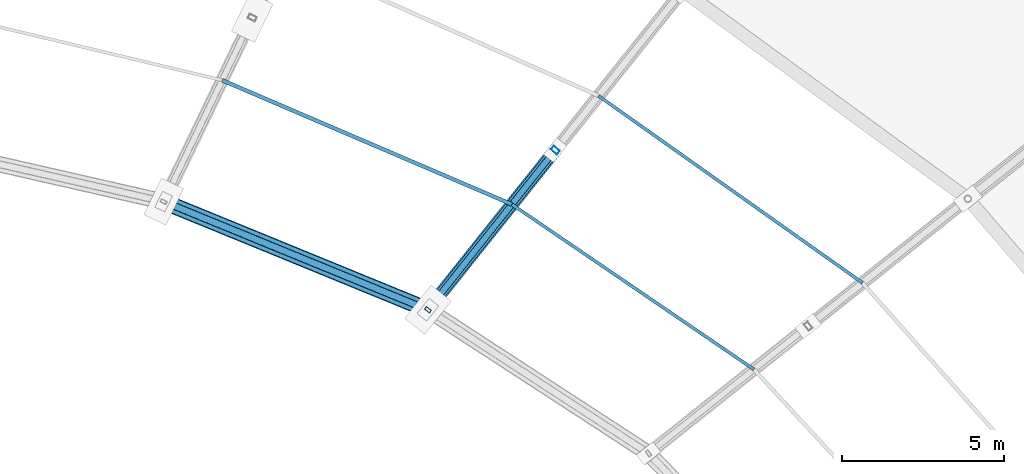
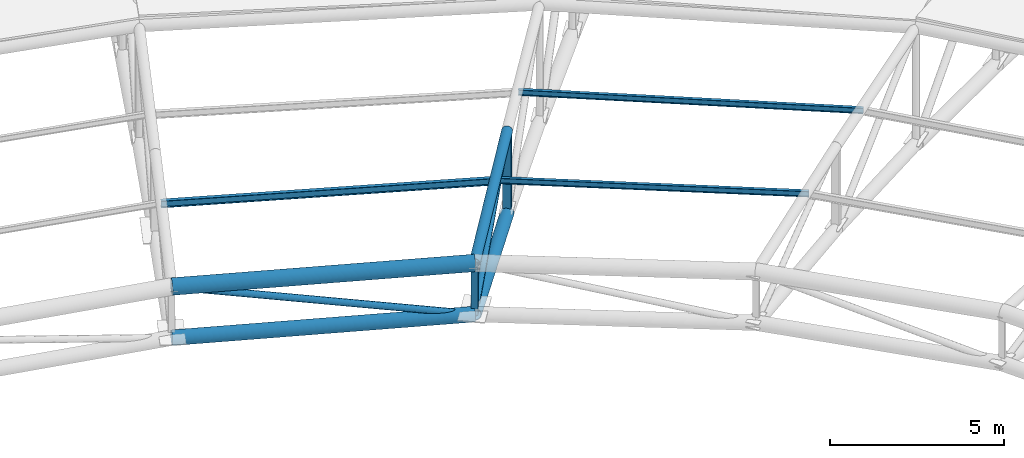
# One storey, part 53 of 108: 11 members.
"""IFC4 building model written with IfcOpenShell, lengths in metres."""

from ifc_helpers import new_model, si_unit, direction, frame, origin, origin_2d, place, context, subcontext, project, spatial, hollow_rectangle, hollow_circle, i_section, extrude, material, material_profile, profile_set, type_object, element, save


model = new_model("IFC4")

# Units and contexts
model_context = context("Model", 3, precision=1e-05, world=origin(), true_north=direction((0.0, 1.0)))
body_context = subcontext(model_context, "Body", "Model", "MODEL_VIEW")
ifc_project = project(units=[si_unit("LENGTHUNIT", "METRE"), si_unit("AREAUNIT", "SQUARE_METRE"), si_unit("VOLUMEUNIT", "CUBIC_METRE"), si_unit("PLANEANGLEUNIT", "RADIAN"), si_unit("MASSUNIT", "GRAM", prefix="KILO")], contexts=[model_context])

# Site, building, storey
site_placement = place(None, origin())
site = spatial("IfcSite", under=ifc_project, at=site_placement, CompositionType="ELEMENT")
building_placement = place(site_placement, origin())
building = spatial("IfcBuilding", under=site, at=building_placement, Name="Zevraka Park Crest Stadium", CompositionType="ELEMENT")
storey_placement = place(building_placement, frame((0.0, 0.0, 29.39990234375)))
storey = spatial("IfcBuildingStorey", under=building, at=storey_placement, Name="RF", CompositionType="ELEMENT", Elevation=29.39990234375)

# Members
ifc_material_1 = material(Name="Steel S355", Category="steel")
ifc_material_profile_1 = material_profile(ifc_material_1, i_section(OverallWidth=0.1201171875, OverallDepth=0.239990234375, WebThickness=0.006103515625, FlangeThickness=0.009765625, at=origin_2d()), Name="IPE 240")
ifc_profile_set_1 = profile_set([ifc_material_profile_1], Name="Steel S355")
member_type_1 = type_object("IfcMemberType", Name="PR01", PredefinedType="PURLIN", material=ifc_profile_set_1)
member_1_placement = place(storey_placement, frame((141.402099609375, 117.14208984375, 9.01708984375), z_axis=(-0.919186567442, 0.393822363808, 0.0), x_axis=(-0.393822363808, -0.919186567442, 0.0)))
element("IfcMember", 1, at=member_1_placement, inside=storey, type_object=member_type_1, Name="Canopy Roof Purlin PR01 INNER-05-2", PredefinedType="PURLIN", context=body_context, shape_type="SweptSolid", body=[
    extrude(i_section(OverallWidth=0.1201171875, OverallDepth=0.239990234375, WebThickness=0.006103515625, FlangeThickness=0.009765625, at=origin_2d()), origin(), (0.0, 0.0, 1.0), 9.727294921875),
])
ifc_material_2 = material(Name="Steel S355", Category="steel")
ifc_material_profile_2 = material_profile(ifc_material_2, i_section(OverallWidth=0.10009765625, OverallDepth=0.199951171875, WebThickness=0.005615234375, FlangeThickness=0.008544921875, at=origin_2d()), Name="IPE 200")
ifc_profile_set_2 = profile_set([ifc_material_profile_2], Name="Steel S355")
member_type_2 = type_object("IfcMemberType", Name="PR03", PredefinedType="PURLIN", material=ifc_profile_set_2)
member_2_placement = place(storey_placement, frame((152.218994140625, 114.721923828125, 9.173095703125), z_axis=(-0.816040825272, 0.577994265966, 0.0), x_axis=(-0.577994265966, -0.816040825272, 0.0)))
element("IfcMember", 2, at=member_2_placement, inside=storey, type_object=member_type_2, Name="Canopy Roof Purlin PR03 INNER-04-1", PredefinedType="PURLIN", context=body_context, shape_type="SweptSolid", body=[
    extrude(i_section(OverallWidth=0.10009765625, OverallDepth=0.199951171875, WebThickness=0.005615234375, FlangeThickness=0.008544921875, at=origin_2d()), origin(), (0.0, 0.0, 1.0), 9.981201171875),
])
member_3_placement = place(storey_placement, frame((148.8701171875, 112.050048828125, 9.037109375), z_axis=(-0.82621648522, 0.563352748774, 0.0), x_axis=(-0.563352748774, -0.82621648522, 0.0)))
element("IfcMember", 3, at=member_3_placement, inside=storey, type_object=member_type_2, Name="Canopy Roof Purlin PR03 INNER-04-2", PredefinedType="PURLIN", context=body_context, shape_type="SweptSolid", body=[
    extrude(i_section(OverallWidth=0.10009765625, OverallDepth=0.199951171875, WebThickness=0.005615234375, FlangeThickness=0.008544921875, at=origin_2d()), origin(), (0.0, 0.0, 1.0), 9.038818359375),
])
ifc_material_3 = material(Name="Steel S355", Category="steel")
ifc_material_profile_3 = material_profile(ifc_material_3, hollow_circle(Radius=0.25390625, WallThickness=0.030029296875, at=origin_2d()), Name="CHS 508.0x30")
ifc_profile_set_3 = profile_set([ifc_material_profile_3], Name="Steel S355")
member_type_3 = type_object("IfcMemberType", Name="TC01", PredefinedType="CHORD", material=ifc_profile_set_3)
member_4_placement = place(storey_placement, frame((138.81005859375, 113.89111328125, 9.0), z_axis=(-0.925523556588, 0.378690039743, 0.0), x_axis=(-0.378690039743, -0.925523556588, 0.0)))
element("IfcMember", 4, at=member_4_placement, inside=storey, type_object=member_type_3, Name="Roof Inner Oculus Compression-Tension Ring TC01 05", PredefinedType="CHORD", context=body_context, shape_type="SweptSolid", body=[
    extrude(hollow_circle(Radius=0.25390625, WallThickness=0.030029296875, at=origin_2d()), origin(), (0.0, 0.0, 1.0), 8.80908203125),
])
ifc_material_4 = material(Name="Steel S355", Category="steel")
ifc_material_profile_4 = material_profile(ifc_material_4, hollow_circle(Radius=0.228515625, WallThickness=0.02490234375, at=origin_2d()), Name="CHS 457.0x25")
ifc_profile_set_4 = profile_set([ifc_material_profile_4], Name="Steel S355")
member_type_4 = type_object("IfcMemberType", Name="TC02", PredefinedType="CHORD", material=ifc_profile_set_4)
member_5_placement = place(storey_placement, frame((138.81005859375, 113.89111328125, 7.2001953125), z_axis=(-0.925523556588, 0.378690039743, 0.0), x_axis=(-0.378690039743, -0.925523556588, 0.0)))
element("IfcMember", 5, at=member_5_placement, inside=storey, type_object=member_type_4, Name="Roof Inner Oculus Bottom Ring TC02 05", PredefinedType="CHORD", context=body_context, shape_type="SweptSolid", body=[
    extrude(hollow_circle(Radius=0.228515625, WallThickness=0.02490234375, at=origin_2d()), origin(), (0.0, 0.0, 1.0), 8.80908203125),
])
ifc_material_5 = material(Name="Steel S355", Category="steel")
ifc_material_profile_5 = material_profile(ifc_material_5, hollow_circle(Radius=0.203125, WallThickness=0.02001953125, at=origin_2d()), Name="CHS 406.4x20")
ifc_profile_set_5 = profile_set([ifc_material_profile_5], Name="Steel S355")
member_type_5 = type_object("IfcMemberType", Name="TC03", PredefinedType="CHORD", material=ifc_profile_set_5)
member_6_placement = place(storey_placement, frame((142.738037109375, 118.81689453125, 6.400146484375), z_axis=(-0.618503261421, -0.775618236213, 0.125976455198), x_axis=(0.781847030375, -0.623470304902, 0.0)))
element("IfcMember", 6, at=member_6_placement, inside=storey, type_object=member_type_5, Name="Roof Truss Bottom Chord TC03 T05-7", PredefinedType="CHORD", context=body_context, shape_type="SweptSolid", body=[
    extrude(hollow_circle(Radius=0.203125, WallThickness=0.02001953125, at=origin_2d()), origin(), (0.0, 0.0, 1.0), 6.350830078125),
])
ifc_material_6 = material(Name="Steel S355", Category="steel")
ifc_material_profile_6 = material_profile(ifc_material_6, hollow_circle(Radius=0.161865234375, WallThickness=0.01611328125, at=origin_2d()), Name="CHS 323.9x16")
ifc_profile_set_6 = profile_set([ifc_material_profile_6], Name="Steel S355")
member_type_6 = type_object("IfcMemberType", Name="TC04", PredefinedType="CHORD", material=ifc_profile_set_6)
member_7_placement = place(storey_placement, frame((142.738037109375, 118.81689453125, 9.300048828125), z_axis=(-0.622764434517, -0.780961851627, -0.047571476787), x_axis=(0.781847030375, -0.623470304902, 0.0)))
element("IfcMember", 7, at=member_7_placement, inside=storey, type_object=member_type_6, Name="Roof Truss Top Chord TC04 T05-7", PredefinedType="CHORD", context=body_context, shape_type="SweptSolid", body=[
    extrude(hollow_circle(Radius=0.161865234375, WallThickness=0.01611328125, at=origin_2d()), origin(), (0.0, 0.0, 1.0), 6.307373046875),
])
ifc_material_7 = material(Name="Steel S355", Category="steel")
ifc_material_profile_7 = material_profile(ifc_material_7, hollow_circle(Radius=0.109619140625, WallThickness=0.010009765625, at=origin_2d()), Name="CHS 219.1x10")
ifc_profile_set_7 = profile_set([ifc_material_profile_7], Name="Steel S355")
member_type_7 = type_object("IfcMemberType", Name="WB02", PredefinedType="BRACE", material=ifc_profile_set_7)
member_8_placement = place(storey_placement, frame((138.81005859375, 113.89111328125, 7.2001953125), z_axis=(-0.906790998807, 0.371025369298, 0.200175572487), x_axis=(-0.378690039743, -0.925523556588, 0.0)))
element("IfcMember", 8, at=member_8_placement, inside=storey, type_object=member_type_7, Name="Roof Oculus Ring Brace WB02 05", PredefinedType="BRACE", context=body_context, shape_type="SweptSolid", body=[
    extrude(hollow_circle(Radius=0.109619140625, WallThickness=0.010009765625, at=origin_2d()), origin(), (0.0, 0.0, 1.0), 8.9912109375),
])
ifc_material_8 = material(Name="Steel S355", Category="steel")
ifc_material_profile_8 = material_profile(ifc_material_8, hollow_rectangle(XDim=0.14990234375, YDim=0.25, WallThickness=0.010009765625, at=origin_2d()), Name="RHS 250x150x10")
ifc_profile_set_8 = profile_set([ifc_material_profile_8], Name="Steel S355")
member_type_8 = type_object("IfcMemberType", Name="WB04", PredefinedType="BRACE", material=ifc_profile_set_8)
member_9_placement = place(storey_placement, frame((142.738037109375, 118.81689453125, 6.400146484375), z_axis=(0.0, 0.0, 1.0), x_axis=(0.623470308046, 0.781847027868, 0.0)))
element("IfcMember", 9, at=member_9_placement, inside=storey, type_object=member_type_8, Name="Roof Truss Web Post WB04 T05-6", PredefinedType="BRACE", context=body_context, shape_type="SweptSolid", body=[
    extrude(hollow_rectangle(XDim=0.14990234375, YDim=0.25, WallThickness=0.010009765625, at=origin_2d()), origin(), (0.0, 0.0, 1.0), 2.89990234375),
])
ifc_material_9 = material(Name="Steel S355", Category="steel")
ifc_material_profile_9 = material_profile(ifc_material_9, hollow_rectangle(XDim=0.10009765625, YDim=0.199951171875, WallThickness=0.008056640625, at=origin_2d()), Name="RHS 200x100x8")
ifc_profile_set_9 = profile_set([ifc_material_profile_9], Name="Steel S355")
member_type_9 = type_object("IfcMemberType", Name="WB05", PredefinedType="BRACE", material=ifc_profile_set_9)
member_10_placement = place(storey_placement, frame((138.81005859375, 113.89111328125, 7.2001953125), z_axis=(0.0, 0.0, 1.0), x_axis=(0.623470308046, 0.781847027868, 0.0)))
element("IfcMember", 10, at=member_10_placement, inside=storey, type_object=member_type_9, Name="Roof Truss Web Post WB05 T05-7", PredefinedType="BRACE", context=body_context, shape_type="SweptSolid", body=[
    extrude(hollow_rectangle(XDim=0.10009765625, YDim=0.199951171875, WallThickness=0.008056640625, at=origin_2d()), origin(), (0.0, 0.0, 1.0), 1.7998046875),
])
ifc_material_10 = material(Name="Steel S355", Category="steel")
ifc_material_profile_10 = material_profile(ifc_material_10, hollow_circle(Radius=0.096923828125, WallThickness=0.010009765625, at=origin_2d()), Name="CHS 193.7x10")
ifc_profile_set_10 = profile_set([ifc_material_profile_10], Name="Steel S355")
member_type_10 = type_object("IfcMemberType", Name="WB08", PredefinedType="BRACE", material=ifc_profile_set_10)
member_11_placement = place(storey_placement, frame((138.81005859375, 113.89111328125, 7.2001953125), z_axis=(0.591481731202, 0.741732575594, 0.316199538198), x_axis=(-0.781847030375, 0.623470304902, 0.0)))
element("IfcMember", 11, at=member_11_placement, inside=storey, type_object=member_type_10, Name="Roof Truss Web Diagonal WB08 T05-7", PredefinedType="BRACE", context=body_context, shape_type="SweptSolid", body=[
    extrude(hollow_circle(Radius=0.096923828125, WallThickness=0.010009765625, at=origin_2d()), origin(), (0.0, 0.0, 1.0), 6.640869140625),
])

save(model, "model.ifc")
